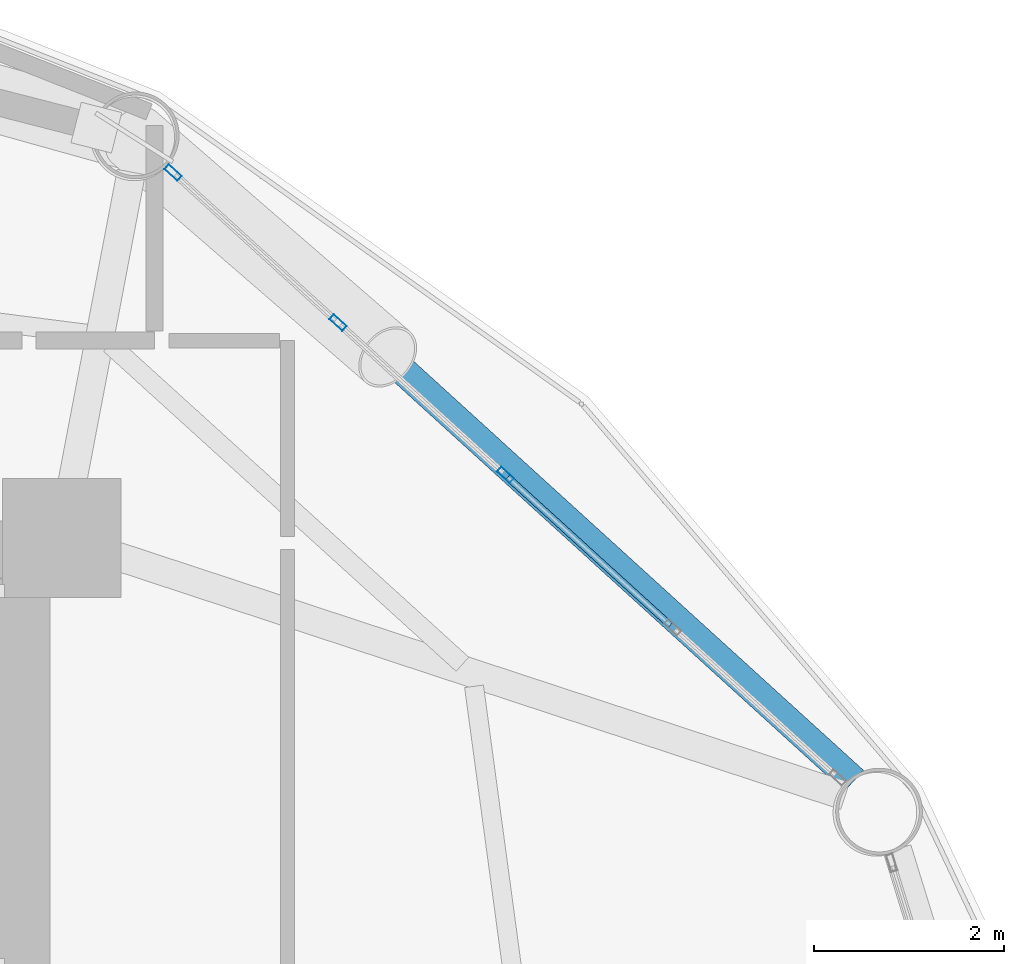
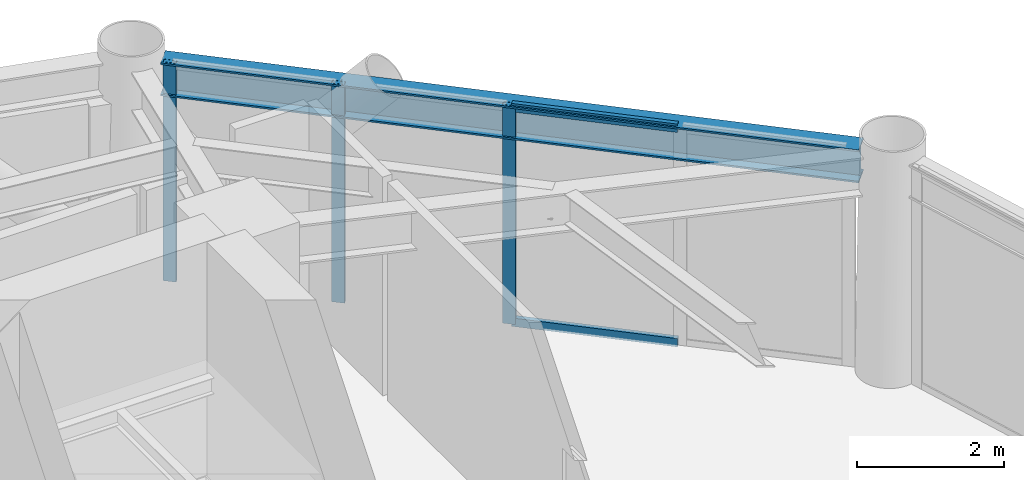
# One storey, part 18 of 25: 5 members, 1 beam, 1 element without a shape of its own.
"""IFC4 building model written with IfcOpenShell, lengths in metres."""

from ifc_helpers import new_model, si_unit, direction, frame, origin, origin_2d, place, context, subcontext, project, spatial, hollow_rectangle, i_section, extrude, material, layer, layer_set, material_profile, profile_set, type_object, element, aggregate, save


model = new_model("IFC4")

# Units and contexts
model_context = context("Model", 3, precision=1e-05, world=origin(), true_north=direction((0.0, 1.0)))
body_context = subcontext(model_context, "Body", "Model", "MODEL_VIEW")
ifc_project = project(units=[si_unit("LENGTHUNIT", "METRE"), si_unit("AREAUNIT", "SQUARE_METRE"), si_unit("VOLUMEUNIT", "CUBIC_METRE"), si_unit("PLANEANGLEUNIT", "RADIAN"), si_unit("MASSUNIT", "GRAM", prefix="KILO")], contexts=[model_context])

# Site, building, storey
site_placement = place(None, origin())
site = spatial("IfcSite", under=ifc_project, at=site_placement, CompositionType="ELEMENT")
building_placement = place(site_placement, origin())
building = spatial("IfcBuilding", under=site, at=building_placement, Name="Varnakorn Sky Granary", CompositionType="ELEMENT")
storey_placement = place(building_placement, frame((0.0, 0.0, 62.699951171875)))
storey = spatial("IfcBuildingStorey", under=building, at=storey_placement, Name="L15", CompositionType="ELEMENT", Elevation=62.699951171875)

# Beam
ifc_material_1 = material(Name="Steel S355JR", Category="steel")
ifc_material_profile_1 = material_profile(ifc_material_1, i_section(OverallWidth=0.300048828125, OverallDepth=0.550048828125, WebThickness=0.014892578125, FlangeThickness=0.029052734375, at=origin_2d()), Name="HE 550 B")
ifc_profile_set_1 = profile_set([ifc_material_profile_1], Name="Steel S355JR")
beam_type = type_object("IfcBeamType", Name="BM-SPD-Z1", PredefinedType="SPANDREL", material=ifc_profile_set_1)
beam_placement = place(storey_placement, frame((16.77001953125, 10.060791015625, 3.364990234375), z_axis=(-0.739849329856, 0.672772598365, 0.0), x_axis=(-0.672772598365, -0.739849329856, 0.0)))
element("IfcBeam", 1, at=beam_placement, inside=storey, type_object=beam_type, Name="Perimeter Spandrel Ring Beam RB02 L15", PredefinedType="SPANDREL", context=body_context, shape_type="SweptSolid", body=[
    extrude(i_section(OverallWidth=0.300048828125, OverallDepth=0.550048828125, WebThickness=0.014892578125, FlangeThickness=0.029052734375, at=origin_2d()), origin(), (0.0, 0.0, 1.0), 9.739990234375),
])

# Curtain wall, members
ifc_material_2 = material(Name="Anodised Bronze Aluminium Alloy 6063-T6", Category="aluminium")
ifc_layer = layer(ifc_material_2, 0.18994140625, Name="Anodised Bronze Aluminium Alloy 6063-T6")
ifc_layer_set = layer_set([ifc_layer], Name="Anodised Bronze Aluminium Alloy 6063-T6")
curtain_wall_type = type_object("IfcCurtainWallType", Name="CW-FRM-1", PredefinedType="USERDEFINED", material=ifc_layer_set)
curtain_wall_placement = place(storey_placement, origin())
curtain_wall = element("IfcCurtainWall", 2, at=curtain_wall_placement, inside=storey, type_object=curtain_wall_type, Name="Unitised Curtain Wall CW3 CW-L15-B02", ObjectType="CURTAIN WALL", PredefinedType="USERDEFINED")
ifc_material_profile_2 = material_profile(ifc_material_2, hollow_rectangle(XDim=0.070068359375, YDim=0.18505859375, WallThickness=0.00390625, at=origin_2d()), Name="ALU MULL 70x185")
ifc_profile_set_2 = profile_set([ifc_material_profile_2], Name="Anodised Bronze Aluminium Alloy 6063-T6")
member_type_1 = type_object("IfcMemberType", Name="CW-FRM-1-MULL", PredefinedType="MULLION", material=ifc_profile_set_2)
member_1_placement = place(storey_placement, frame((9.59375, 16.470947265625, 0.0), z_axis=(0.0, 0.0, 1.0), x_axis=(0.673050871898, 0.739596189712, 0.0)))
member_1 = element("IfcMember", 3, at=member_1_placement, type_object=member_type_1, Name="CW3 mullion 1", PredefinedType="MULLION", context=body_context, shape_type="SweptSolid", body=[
    extrude(hollow_rectangle(XDim=0.070068359375, YDim=0.18505859375, WallThickness=0.00390625, at=origin_2d()), origin(), (0.0, 0.0, 1.0), 3.64013671875),
])
member_2_placement = place(storey_placement, frame((11.332275390625, 14.888916015625, 0.0), z_axis=(0.0, 0.0, 1.0), x_axis=(0.673050871898, 0.739596189712, 0.0)))
member_2 = element("IfcMember", 4, at=member_2_placement, type_object=member_type_1, Name="CW3 mullion 2", PredefinedType="MULLION", context=body_context, shape_type="SweptSolid", body=[
    extrude(hollow_rectangle(XDim=0.070068359375, YDim=0.18505859375, WallThickness=0.00390625, at=origin_2d()), origin(), (0.0, 0.0, 1.0), 3.64013671875),
])
member_3_placement = place(storey_placement, frame((13.0966796875, 13.283203125, 0.0), z_axis=(0.0, 0.0, 1.0), x_axis=(0.673050871898, 0.739596189712, 0.0)))
member_3 = element("IfcMember", 5, at=member_3_placement, type_object=member_type_1, Name="CW3 mullion 3", PredefinedType="MULLION", context=body_context, shape_type="SweptSolid", body=[
    extrude(hollow_rectangle(XDim=0.070068359375, YDim=0.18505859375, WallThickness=0.00390625, at=origin_2d()), origin(), (0.0, 0.0, 1.0), 3.64013671875),
])
ifc_material_profile_3 = material_profile(ifc_material_2, hollow_rectangle(XDim=0.070068359375, YDim=0.139892578125, WallThickness=0.00341796875, at=origin_2d()), Name="ALU TRAN 70x140")
ifc_profile_set_3 = profile_set([ifc_material_profile_3], Name="Anodised Bronze Aluminium Alloy 6063-T6")
member_type_2 = type_object("IfcMemberType", Name="CW-FRM-1-TRAN", PredefinedType="USERDEFINED", material=ifc_profile_set_3)
member_4_placement = place(storey_placement, frame((13.12255859375, 13.259765625, 0.03515625), z_axis=(0.739586950118, -0.673061024882, 0.0), x_axis=(0.673061024882, 0.739586950118, 0.0)))
member_4 = element("IfcMember", 6, at=member_4_placement, type_object=member_type_2, Name="CW3 transom 3.1", ObjectType="TRANSOM", PredefinedType="USERDEFINED", context=body_context, shape_type="SweptSolid", body=[
    extrude(hollow_rectangle(XDim=0.070068359375, YDim=0.139892578125, WallThickness=0.00341796875, at=origin_2d()), origin(), (0.0, 0.0, 1.0), 2.315673828125),
])
member_5_placement = place(storey_placement, frame((13.12255859375, 13.259765625, 3.60498046875), z_axis=(0.739586950118, -0.673061024882, 0.0), x_axis=(0.673061024882, 0.739586950118, 0.0)))
member_5 = element("IfcMember", 7, at=member_5_placement, type_object=member_type_2, Name="CW3 transom 3.2", ObjectType="TRANSOM", PredefinedType="USERDEFINED", context=body_context, shape_type="SweptSolid", body=[
    extrude(hollow_rectangle(XDim=0.070068359375, YDim=0.139892578125, WallThickness=0.00341796875, at=origin_2d()), origin(), (0.0, 0.0, 1.0), 2.315673828125),
])
aggregate(curtain_wall, [member_1, member_2, member_3, member_4, member_5])

save(model, "model.ifc")
